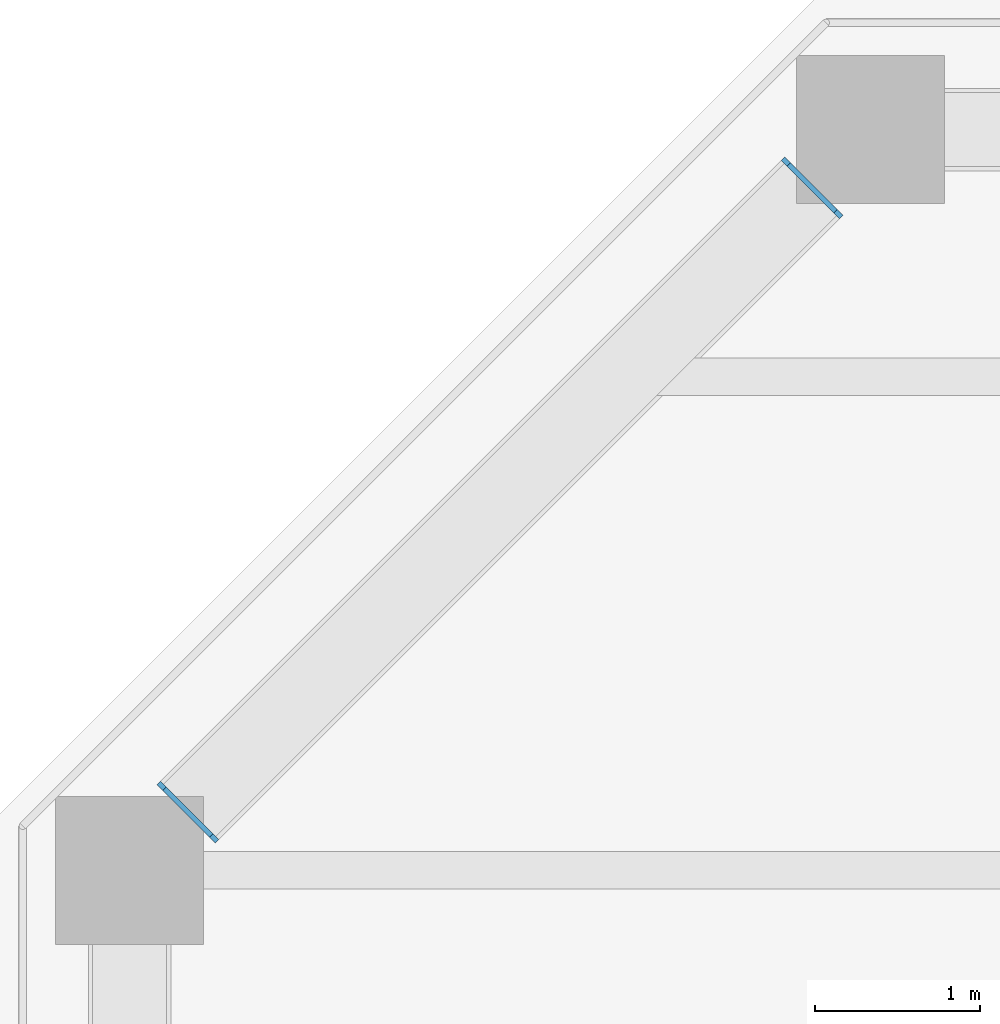
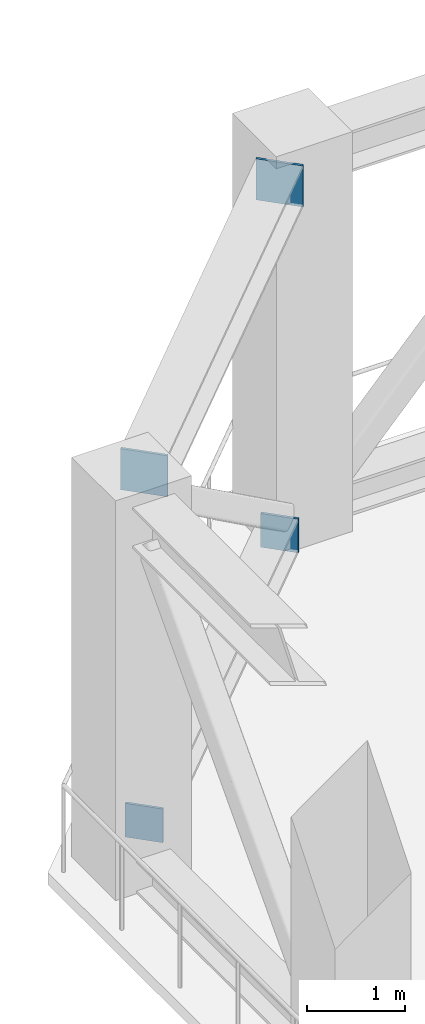
# One storey, part 10 of 13: 4 discrete accessories.
"""IFC4 building model written with IfcOpenShell, lengths in metres."""

from ifc_helpers import new_model, si_unit, direction, frame, origin, origin_2d, place, context, subcontext, project, spatial, rectangle, extrude, material, element, save


model = new_model("IFC4")

# Units and contexts
model_context = context("Model", 3, precision=1e-05, world=origin(), true_north=direction((0.0, 1.0)))
body_context = subcontext(model_context, "Body", "Model", "MODEL_VIEW")
ifc_project = project(units=[si_unit("LENGTHUNIT", "METRE"), si_unit("AREAUNIT", "SQUARE_METRE"), si_unit("VOLUMEUNIT", "CUBIC_METRE"), si_unit("PLANEANGLEUNIT", "RADIAN"), si_unit("MASSUNIT", "GRAM", prefix="KILO")], contexts=[model_context])

# Site, building, storey
site_placement = place(None, origin())
site = spatial("IfcSite", under=ifc_project, at=site_placement, CompositionType="ELEMENT")
building_placement = place(site_placement, origin())
building = spatial("IfcBuilding", under=site, at=building_placement, Name="Quoin Convention Tower", CompositionType="ELEMENT")
storey_placement = place(building_placement, frame((0.0, 0.0, 206.89990234375)))
storey = spatial("IfcBuildingStorey", under=building, at=storey_placement, Name="L54", CompositionType="ELEMENT", Elevation=206.89990234375)

# Discrete accessories
ifc_material = material(Name="Steel Grade 350", Category="steel")
for number, where, z_axis, x_axis, name in (
    (1, (40.1455078125, 80.6455078125, 0.0), (0.0, 0.0, 1.0), (0.707106781187, 0.707106781187, 0.0), "TRUSS END PLATE TRS-L54-BC-40500_81000-36000_76500 A"),
    (2, (36.3544921875, 76.8544921875, 0.0), (0.0, 0.0, 1.0), (-0.707106781187, -0.707106781187, 0.0), "TRUSS END PLATE TRS-L54-BC-40500_81000-36000_76500 B"),
):
    element("IfcDiscreteAccessory", number, at=place(storey_placement, frame(where, z_axis=z_axis, x_axis=x_axis)), inside=storey, material=ifc_material, Name=name, ObjectType="Truss end plate", PredefinedType="USERDEFINED", context=body_context, shape_type="SweptSolid", body=[
        extrude(rectangle(XDim=0.030029296875, YDim=0.39990234375, at=origin_2d()), origin(), (0.0, 0.0, 1.0), 0.422119140625),
    ])
for number, where, z_axis, x_axis, name in (
    (3, (40.1455078125, 80.6455078125, 4.3359375), (0.0, 0.0, 1.0), (0.707106781187, 0.707106781187, 0.0), "TRUSS END PLATE TRS-L54-TC-40500_81000-36000_76500 A"),
    (4, (36.3544921875, 76.8544921875, 4.3359375), (0.0, 0.0, 1.0), (-0.707106781187, -0.707106781187, 0.0), "TRUSS END PLATE TRS-L54-TC-40500_81000-36000_76500 B"),
):
    element("IfcDiscreteAccessory", number, at=place(storey_placement, frame(where, z_axis=z_axis, x_axis=x_axis)), inside=storey, material=ifc_material, Name=name, ObjectType="Truss end plate", PredefinedType="USERDEFINED", context=body_context, shape_type="SweptSolid", body=[
        extrude(rectangle(XDim=0.030029296875, YDim=0.5, at=origin_2d()), origin(), (0.0, 0.0, 1.0), 0.513916015625),
    ])

save(model, "model.ifc")
